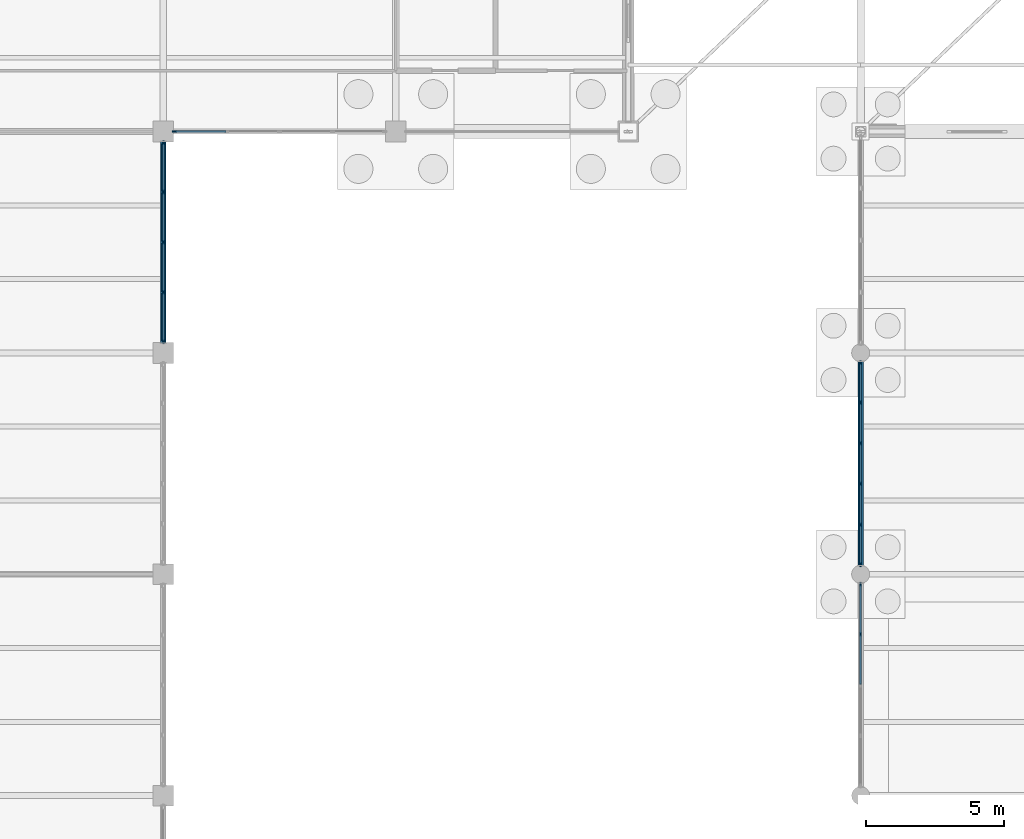
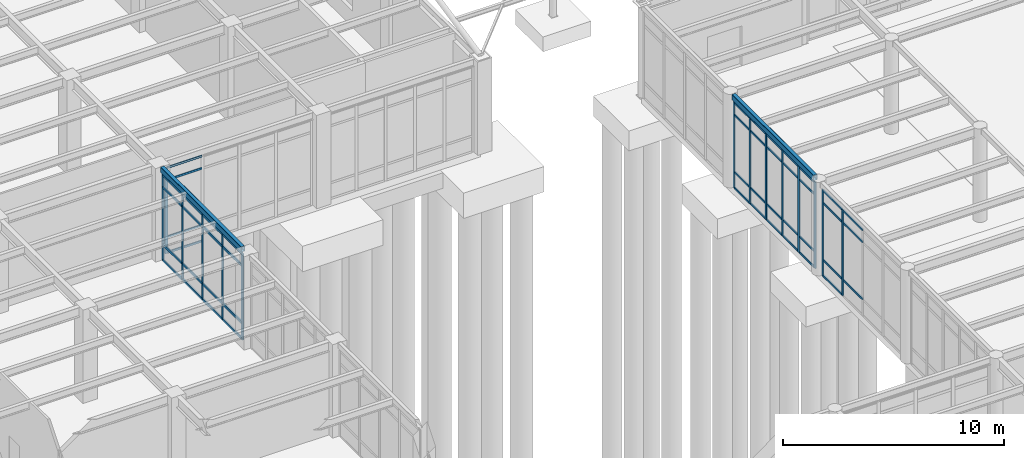
# One storey, part 39 of 138: 61 members, 2 beams, 4 elements without a shape of their own.
"""IFC4 building model written with IfcOpenShell, lengths in metres."""

from ifc_helpers import new_model, si_unit, direction, frame, origin, origin_2d, place, context, subcontext, project, spatial, rectangle, hollow_rectangle, extrude, material, layer, layer_set, material_profile, profile_set, type_object, element, aggregate, save


model = new_model("IFC4")

# Units and contexts
model_context = context("Model", 3, precision=1e-05, world=origin(), true_north=direction((0.0, 1.0)))
body_context = subcontext(model_context, "Body", "Model", "MODEL_VIEW")
ifc_project = project(units=[si_unit("LENGTHUNIT", "METRE"), si_unit("AREAUNIT", "SQUARE_METRE"), si_unit("VOLUMEUNIT", "CUBIC_METRE"), si_unit("PLANEANGLEUNIT", "RADIAN"), si_unit("MASSUNIT", "GRAM", prefix="KILO")], contexts=[model_context])

# Site, building, storey
site_placement = place(None, origin())
site = spatial("IfcSite", under=ifc_project, at=site_placement, CompositionType="ELEMENT")
building_placement = place(site_placement, origin())
building = spatial("IfcBuilding", under=site, at=building_placement, Name="Kranzveld Transit Interchange", CompositionType="ELEMENT")
storey_placement = place(building_placement, origin())
storey = spatial("IfcBuildingStorey", under=building, at=storey_placement, Name="L00", CompositionType="ELEMENT", Elevation=0.0)

# Curtain wall, member
ifc_material_1 = material(Name="Bronze-anodised thermally broken aluminium", Category="aluminium")
ifc_layer_1 = layer(ifc_material_1, 0.159912109375)
ifc_layer_set_1 = layer_set([ifc_layer_1], Name="Bronze-anodised thermally broken aluminium")
curtain_wall_type_1 = type_object("IfcCurtainWallType", Name="Bus Boarding Glazed Screen CW-3", PredefinedType="USERDEFINED", material=ifc_layer_set_1)
curtain_wall_1_placement = place(storey_placement, origin())
curtain_wall_1 = element("IfcCurtainWall", 1, at=curtain_wall_1_placement, inside=storey, type_object=curtain_wall_type_1, Name="L00 Curtain Wall 05/M-06/M", ObjectType="CURTAIN WALL", PredefinedType="USERDEFINED")
ifc_material_2 = material(Name="Bronze-anodised thermally broken aluminium", Category="aluminium")
ifc_material_profile_1 = material_profile(ifc_material_2, rectangle(XDim=0.06005859375, YDim=0.14990234375, at=origin_2d()), Name="ALU MULLION 60x150")
ifc_profile_set_1 = profile_set([ifc_material_profile_1], Name="Bronze-anodised thermally broken aluminium")
member_type_1 = type_object("IfcMemberType", Name="Curtain Wall Mullion 60x150 Alu", PredefinedType="MULLION", material=ifc_profile_set_1)
member_1_placement = place(storey_placement, frame((34.0048828125, 88.0, 0.0), z_axis=(0.0, 0.0, 1.0), x_axis=(0.0, 1.0, 0.0)))
member_1 = element("IfcMember", 2, at=member_1_placement, type_object=member_type_1, Name="CW-3 mullion 1", PredefinedType="MULLION", context=body_context, shape_type="SweptSolid", body=[
    extrude(rectangle(XDim=0.06005859375, YDim=0.14990234375, at=origin_2d()), origin(), (0.0, 0.0, 1.0), 4.740478515625),
])

# Curtain wall, members
curtain_wall_2_placement = place(storey_placement, origin())
curtain_wall_2 = element("IfcCurtainWall", 3, at=curtain_wall_2_placement, inside=storey, type_object=curtain_wall_type_1, Name="L00 Curtain Wall 05/L-05/M", ObjectType="CURTAIN WALL", PredefinedType="USERDEFINED")
member_2_placement = place(storey_placement, frame((33.60009765625, 80.405029296875, 0.0), z_axis=(0.0, 0.0, 1.0), x_axis=(-1.0, 0.0, 0.0)))
member_2 = element("IfcMember", 4, at=member_2_placement, type_object=member_type_1, Name="CW-3 mullion 1", PredefinedType="MULLION", context=body_context, shape_type="SweptSolid", body=[
    extrude(rectangle(XDim=0.06005859375, YDim=0.14990234375, at=origin_2d()), origin(), (0.0, 0.0, 1.0), 4.747314453125),
])
member_3_placement = place(storey_placement, frame((33.60009765625, 82.1875, 0.0), z_axis=(0.0, 0.0, 1.0), x_axis=(-1.0, 0.0, 0.0)))
member_3 = element("IfcMember", 5, at=member_3_placement, type_object=member_type_1, Name="CW-3 mullion 2", PredefinedType="MULLION", context=body_context, shape_type="SweptSolid", body=[
    extrude(rectangle(XDim=0.06005859375, YDim=0.14990234375, at=origin_2d()), origin(), (0.0, 0.0, 1.0), 4.747314453125),
])
member_4_placement = place(storey_placement, frame((33.60009765625, 84.0, 0.0), z_axis=(0.0, 0.0, 1.0), x_axis=(-1.0, 0.0, 0.0)))
member_4 = element("IfcMember", 6, at=member_4_placement, type_object=member_type_1, Name="CW-3 mullion 3", PredefinedType="MULLION", context=body_context, shape_type="SweptSolid", body=[
    extrude(rectangle(XDim=0.06005859375, YDim=0.14990234375, at=origin_2d()), origin(), (0.0, 0.0, 1.0), 4.747314453125),
])
member_5_placement = place(storey_placement, frame((33.60009765625, 85.8125, 0.0), z_axis=(0.0, 0.0, 1.0), x_axis=(-1.0, 0.0, 0.0)))
member_5 = element("IfcMember", 7, at=member_5_placement, type_object=member_type_1, Name="CW-3 mullion 4", PredefinedType="MULLION", context=body_context, shape_type="SweptSolid", body=[
    extrude(rectangle(XDim=0.06005859375, YDim=0.14990234375, at=origin_2d()), origin(), (0.0, 0.0, 1.0), 4.747314453125),
])
member_6_placement = place(storey_placement, frame((33.60009765625, 87.594970703125, 0.0), z_axis=(0.0, 0.0, 1.0), x_axis=(-1.0, 0.0, 0.0)))
member_6 = element("IfcMember", 8, at=member_6_placement, type_object=member_type_1, Name="CW-3 mullion 5", PredefinedType="MULLION", context=body_context, shape_type="SweptSolid", body=[
    extrude(rectangle(XDim=0.06005859375, YDim=0.14990234375, at=origin_2d()), origin(), (0.0, 0.0, 1.0), 4.747314453125),
])

curtain_wall_3_placement = place(storey_placement, origin())
curtain_wall_3 = element("IfcCurtainWall", 9, at=curtain_wall_3_placement, inside=storey, type_object=curtain_wall_type_1, Name="L00 Curtain Wall 08/J-08/K", ObjectType="CURTAIN WALL", PredefinedType="USERDEFINED")
member_7_placement = place(storey_placement, frame((58.800048828125, 69.83740234375, 0.0), z_axis=(0.0, 0.0, 1.0), x_axis=(-1.0, 0.0, 0.0)))
member_7 = element("IfcMember", 10, at=member_7_placement, type_object=member_type_1, Name="CW-3 mullion 4", PredefinedType="MULLION", context=body_context, shape_type="SweptSolid", body=[
    extrude(rectangle(XDim=0.06005859375, YDim=0.14990234375, at=origin_2d()), origin(), (0.0, 0.0, 1.0), 4.747314453125),
])
member_8_placement = place(storey_placement, frame((58.800048828125, 71.64501953125, 0.0), z_axis=(0.0, 0.0, 1.0), x_axis=(-1.0, 0.0, 0.0)))
member_8 = element("IfcMember", 11, at=member_8_placement, type_object=member_type_1, Name="CW-3 mullion 5", PredefinedType="MULLION", context=body_context, shape_type="SweptSolid", body=[
    extrude(rectangle(XDim=0.06005859375, YDim=0.14990234375, at=origin_2d()), origin(), (0.0, 0.0, 1.0), 4.747314453125),
])

ifc_material_3 = material(Name="Bronze-anodised thermally broken aluminium", Category="aluminium")
ifc_layer_2 = layer(ifc_material_3, 0.14990234375)
ifc_layer_set_2 = layer_set([ifc_layer_2], Name="Bronze-anodised thermally broken aluminium")
curtain_wall_type_2 = type_object("IfcCurtainWallType", Name="Public Passage Clerestory Screen CW-4", PredefinedType="USERDEFINED", material=ifc_layer_set_2)
curtain_wall_4_placement = place(storey_placement, origin())
curtain_wall_4 = element("IfcCurtainWall", 12, at=curtain_wall_4_placement, inside=storey, type_object=curtain_wall_type_2, Name="L00 Curtain Wall 08/K-08/L", ObjectType="CURTAIN WALL", PredefinedType="USERDEFINED")
member_9_placement = place(storey_placement, frame((58.800048828125, 72.35498046875, 0.0), z_axis=(0.0, 0.0, 1.0), x_axis=(-1.0, 0.0, 0.0)))
member_9 = element("IfcMember", 13, at=member_9_placement, type_object=member_type_1, Name="CW-4 mullion 1", PredefinedType="MULLION", context=body_context, shape_type="SweptSolid", body=[
    extrude(rectangle(XDim=0.06005859375, YDim=0.14990234375, at=origin_2d()), origin(), (0.0, 0.0, 1.0), 4.747314453125),
])
member_10_placement = place(storey_placement, frame((58.800048828125, 73.794921875, 0.0), z_axis=(0.0, 0.0, 1.0), x_axis=(-1.0, 0.0, 0.0)))
member_10 = element("IfcMember", 14, at=member_10_placement, type_object=member_type_1, Name="CW-4 mullion 2", PredefinedType="MULLION", context=body_context, shape_type="SweptSolid", body=[
    extrude(rectangle(XDim=0.06005859375, YDim=0.14990234375, at=origin_2d()), origin(), (0.0, 0.0, 1.0), 4.747314453125),
])
member_11_placement = place(storey_placement, frame((58.800048828125, 75.264892578125, 0.0), z_axis=(0.0, 0.0, 1.0), x_axis=(-1.0, 0.0, 0.0)))
member_11 = element("IfcMember", 15, at=member_11_placement, type_object=member_type_1, Name="CW-4 mullion 3", PredefinedType="MULLION", context=body_context, shape_type="SweptSolid", body=[
    extrude(rectangle(XDim=0.06005859375, YDim=0.14990234375, at=origin_2d()), origin(), (0.0, 0.0, 1.0), 4.747314453125),
])
member_12_placement = place(storey_placement, frame((58.800048828125, 76.735107421875, 0.0), z_axis=(0.0, 0.0, 1.0), x_axis=(-1.0, 0.0, 0.0)))
member_12 = element("IfcMember", 16, at=member_12_placement, type_object=member_type_1, Name="CW-4 mullion 4", PredefinedType="MULLION", context=body_context, shape_type="SweptSolid", body=[
    extrude(rectangle(XDim=0.06005859375, YDim=0.14990234375, at=origin_2d()), origin(), (0.0, 0.0, 1.0), 4.747314453125),
])
member_13_placement = place(storey_placement, frame((58.800048828125, 78.205078125, 0.0), z_axis=(0.0, 0.0, 1.0), x_axis=(-1.0, 0.0, 0.0)))
member_13 = element("IfcMember", 17, at=member_13_placement, type_object=member_type_1, Name="CW-4 mullion 5", PredefinedType="MULLION", context=body_context, shape_type="SweptSolid", body=[
    extrude(rectangle(XDim=0.06005859375, YDim=0.14990234375, at=origin_2d()), origin(), (0.0, 0.0, 1.0), 4.747314453125),
])
member_14_placement = place(storey_placement, frame((58.800048828125, 79.64501953125, 0.0), z_axis=(0.0, 0.0, 1.0), x_axis=(-1.0, 0.0, 0.0)))
member_14 = element("IfcMember", 18, at=member_14_placement, type_object=member_type_1, Name="CW-4 mullion 6", PredefinedType="MULLION", context=body_context, shape_type="SweptSolid", body=[
    extrude(rectangle(XDim=0.06005859375, YDim=0.14990234375, at=origin_2d()), origin(), (0.0, 0.0, 1.0), 4.747314453125),
])

# Member
ifc_material_4 = material(Name="Bronze-anodised thermally broken aluminium", Category="aluminium")
ifc_material_profile_2 = material_profile(ifc_material_4, rectangle(XDim=0.06005859375, YDim=0.110107421875, at=origin_2d()), Name="ALU TRANSOM 60x110")
ifc_profile_set_2 = profile_set([ifc_material_profile_2], Name="Bronze-anodised thermally broken aluminium")
member_type_2 = type_object("IfcMemberType", Name="Curtain Wall Transom 60x110 Alu", PredefinedType="USERDEFINED", material=ifc_profile_set_2)
member_15_placement = place(storey_placement, frame((34.034912109375, 88.0, 0.030029296875), z_axis=(1.0, 0.0, 0.0), x_axis=(0.0, 1.0, 0.0)))
member_15 = element("IfcMember", 19, at=member_15_placement, type_object=member_type_2, Name="CW-3 transom 1.1", ObjectType="TRANSOM", PredefinedType="USERDEFINED", context=body_context, shape_type="SweptSolid", body=[
    extrude(rectangle(XDim=0.06005859375, YDim=0.110107421875, at=origin_2d()), origin(), (0.0, 0.0, 1.0), 1.822509765625),
])

member_16_placement = place(storey_placement, frame((34.034912109375, 88.0, 0.89990234375), z_axis=(1.0, 0.0, 0.0), x_axis=(0.0, 1.0, 0.0)))
member_16 = element("IfcMember", 20, at=member_16_placement, type_object=member_type_2, Name="CW-3 transom 1.2", ObjectType="TRANSOM", PredefinedType="USERDEFINED", context=body_context, shape_type="SweptSolid", body=[
    extrude(rectangle(XDim=0.06005859375, YDim=0.110107421875, at=origin_2d()), origin(), (0.0, 0.0, 1.0), 1.822509765625),
])

member_17_placement = place(storey_placement, frame((34.034912109375, 88.0, 4.04052734375), z_axis=(1.0, 0.0, 0.0), x_axis=(0.0, 1.0, 0.0)))
member_17 = element("IfcMember", 21, at=member_17_placement, type_object=member_type_2, Name="CW-3 transom 1.3", ObjectType="TRANSOM", PredefinedType="USERDEFINED", context=body_context, shape_type="SweptSolid", body=[
    extrude(rectangle(XDim=0.06005859375, YDim=0.110107421875, at=origin_2d()), origin(), (0.0, 0.0, 1.0), 1.822509765625),
])

member_18_placement = place(storey_placement, frame((34.034912109375, 88.0, 4.710693359375), z_axis=(1.0, 0.0, 0.0), x_axis=(0.0, 1.0, 0.0)))
member_18 = element("IfcMember", 22, at=member_18_placement, type_object=member_type_2, Name="CW-3 transom 1.4", ObjectType="TRANSOM", PredefinedType="USERDEFINED", context=body_context, shape_type="SweptSolid", body=[
    extrude(rectangle(XDim=0.06005859375, YDim=0.110107421875, at=origin_2d()), origin(), (0.0, 0.0, 1.0), 1.822509765625),
])

aggregate(curtain_wall_1, [member_1, member_15, member_16, member_17, member_18])

member_19_placement = place(storey_placement, frame((58.800048828125, 68.030029296875, 0.89990234375), z_axis=(0.0, 1.0, 0.0), x_axis=(-1.0, 0.0, 0.0)))
member_19 = element("IfcMember", 23, at=member_19_placement, type_object=member_type_2, Name="CW-3 transom 3.2", ObjectType="TRANSOM", PredefinedType="USERDEFINED", context=body_context, shape_type="SweptSolid", body=[
    extrude(rectangle(XDim=0.06005859375, YDim=0.110107421875, at=origin_2d()), origin(), (0.0, 0.0, 1.0), 1.777587890625),
])

member_20_placement = place(storey_placement, frame((58.800048828125, 68.030029296875, 4.04736328125), z_axis=(0.0, 1.0, 0.0), x_axis=(-1.0, 0.0, 0.0)))
member_20 = element("IfcMember", 24, at=member_20_placement, type_object=member_type_2, Name="CW-3 transom 3.3", ObjectType="TRANSOM", PredefinedType="USERDEFINED", context=body_context, shape_type="SweptSolid", body=[
    extrude(rectangle(XDim=0.06005859375, YDim=0.110107421875, at=origin_2d()), origin(), (0.0, 0.0, 1.0), 1.777587890625),
])

member_21_placement = place(storey_placement, frame((58.800048828125, 68.030029296875, 4.71728515625), z_axis=(0.0, 1.0, 0.0), x_axis=(-1.0, 0.0, 0.0)))
member_21 = element("IfcMember", 25, at=member_21_placement, type_object=member_type_2, Name="CW-3 transom 3.4", ObjectType="TRANSOM", PredefinedType="USERDEFINED", context=body_context, shape_type="SweptSolid", body=[
    extrude(rectangle(XDim=0.06005859375, YDim=0.110107421875, at=origin_2d()), origin(), (0.0, 0.0, 1.0), 1.777587890625),
])

member_22_placement = place(storey_placement, frame((58.800048828125, 69.867431640625, 0.030029296875), z_axis=(0.0, 1.0, 0.0), x_axis=(-1.0, 0.0, 0.0)))
member_22 = element("IfcMember", 26, at=member_22_placement, type_object=member_type_2, Name="CW-3 transom 4.1", ObjectType="TRANSOM", PredefinedType="USERDEFINED", context=body_context, shape_type="SweptSolid", body=[
    extrude(rectangle(XDim=0.06005859375, YDim=0.110107421875, at=origin_2d()), origin(), (0.0, 0.0, 1.0), 1.74755859375),
])

member_23_placement = place(storey_placement, frame((58.800048828125, 69.867431640625, 0.89990234375), z_axis=(0.0, 1.0, 0.0), x_axis=(-1.0, 0.0, 0.0)))
member_23 = element("IfcMember", 27, at=member_23_placement, type_object=member_type_2, Name="CW-3 transom 4.2", ObjectType="TRANSOM", PredefinedType="USERDEFINED", context=body_context, shape_type="SweptSolid", body=[
    extrude(rectangle(XDim=0.06005859375, YDim=0.110107421875, at=origin_2d()), origin(), (0.0, 0.0, 1.0), 1.74755859375),
])

member_24_placement = place(storey_placement, frame((58.800048828125, 69.867431640625, 4.04736328125), z_axis=(0.0, 1.0, 0.0), x_axis=(-1.0, 0.0, 0.0)))
member_24 = element("IfcMember", 28, at=member_24_placement, type_object=member_type_2, Name="CW-3 transom 4.3", ObjectType="TRANSOM", PredefinedType="USERDEFINED", context=body_context, shape_type="SweptSolid", body=[
    extrude(rectangle(XDim=0.06005859375, YDim=0.110107421875, at=origin_2d()), origin(), (0.0, 0.0, 1.0), 1.74755859375),
])

member_25_placement = place(storey_placement, frame((58.800048828125, 69.867431640625, 4.71728515625), z_axis=(0.0, 1.0, 0.0), x_axis=(-1.0, 0.0, 0.0)))
member_25 = element("IfcMember", 29, at=member_25_placement, type_object=member_type_2, Name="CW-3 transom 4.4", ObjectType="TRANSOM", PredefinedType="USERDEFINED", context=body_context, shape_type="SweptSolid", body=[
    extrude(rectangle(XDim=0.06005859375, YDim=0.110107421875, at=origin_2d()), origin(), (0.0, 0.0, 1.0), 1.74755859375),
])

aggregate(curtain_wall_3, [member_7, member_8, member_19, member_20, member_21, member_22, member_23, member_24, member_25])

member_26_placement = place(storey_placement, frame((58.800048828125, 72.385009765625, 0.030029296875), z_axis=(0.0, 1.0, 0.0), x_axis=(-1.0, 0.0, 0.0)))
member_26 = element("IfcMember", 30, at=member_26_placement, type_object=member_type_2, Name="CW-4 transom 1.1", ObjectType="TRANSOM", PredefinedType="USERDEFINED", context=body_context, shape_type="SweptSolid", body=[
    extrude(rectangle(XDim=0.06005859375, YDim=0.110107421875, at=origin_2d()), origin(), (0.0, 0.0, 1.0), 1.3798828125),
])

member_27_placement = place(storey_placement, frame((58.800048828125, 72.385009765625, 0.89990234375), z_axis=(0.0, 1.0, 0.0), x_axis=(-1.0, 0.0, 0.0)))
member_27 = element("IfcMember", 31, at=member_27_placement, type_object=member_type_2, Name="CW-4 transom 1.2", ObjectType="TRANSOM", PredefinedType="USERDEFINED", context=body_context, shape_type="SweptSolid", body=[
    extrude(rectangle(XDim=0.06005859375, YDim=0.110107421875, at=origin_2d()), origin(), (0.0, 0.0, 1.0), 1.3798828125),
])

member_28_placement = place(storey_placement, frame((58.800048828125, 72.385009765625, 4.04736328125), z_axis=(0.0, 1.0, 0.0), x_axis=(-1.0, 0.0, 0.0)))
member_28 = element("IfcMember", 32, at=member_28_placement, type_object=member_type_2, Name="CW-4 transom 1.3", ObjectType="TRANSOM", PredefinedType="USERDEFINED", context=body_context, shape_type="SweptSolid", body=[
    extrude(rectangle(XDim=0.06005859375, YDim=0.110107421875, at=origin_2d()), origin(), (0.0, 0.0, 1.0), 1.3798828125),
])

member_29_placement = place(storey_placement, frame((58.800048828125, 72.385009765625, 4.71728515625), z_axis=(0.0, 1.0, 0.0), x_axis=(-1.0, 0.0, 0.0)))
member_29 = element("IfcMember", 33, at=member_29_placement, type_object=member_type_2, Name="CW-4 transom 1.4", ObjectType="TRANSOM", PredefinedType="USERDEFINED", context=body_context, shape_type="SweptSolid", body=[
    extrude(rectangle(XDim=0.06005859375, YDim=0.110107421875, at=origin_2d()), origin(), (0.0, 0.0, 1.0), 1.3798828125),
])

member_30_placement = place(storey_placement, frame((58.800048828125, 73.824951171875, 0.030029296875), z_axis=(0.0, 1.0, 0.0), x_axis=(-1.0, 0.0, 0.0)))
member_30 = element("IfcMember", 34, at=member_30_placement, type_object=member_type_2, Name="CW-4 transom 2.1", ObjectType="TRANSOM", PredefinedType="USERDEFINED", context=body_context, shape_type="SweptSolid", body=[
    extrude(rectangle(XDim=0.06005859375, YDim=0.110107421875, at=origin_2d()), origin(), (0.0, 0.0, 1.0), 1.41015625),
])

member_31_placement = place(storey_placement, frame((58.800048828125, 73.824951171875, 0.89990234375), z_axis=(0.0, 1.0, 0.0), x_axis=(-1.0, 0.0, 0.0)))
member_31 = element("IfcMember", 35, at=member_31_placement, type_object=member_type_2, Name="CW-4 transom 2.2", ObjectType="TRANSOM", PredefinedType="USERDEFINED", context=body_context, shape_type="SweptSolid", body=[
    extrude(rectangle(XDim=0.06005859375, YDim=0.110107421875, at=origin_2d()), origin(), (0.0, 0.0, 1.0), 1.41015625),
])

member_32_placement = place(storey_placement, frame((58.800048828125, 73.824951171875, 4.04736328125), z_axis=(0.0, 1.0, 0.0), x_axis=(-1.0, 0.0, 0.0)))
member_32 = element("IfcMember", 36, at=member_32_placement, type_object=member_type_2, Name="CW-4 transom 2.3", ObjectType="TRANSOM", PredefinedType="USERDEFINED", context=body_context, shape_type="SweptSolid", body=[
    extrude(rectangle(XDim=0.06005859375, YDim=0.110107421875, at=origin_2d()), origin(), (0.0, 0.0, 1.0), 1.41015625),
])

member_33_placement = place(storey_placement, frame((58.800048828125, 73.824951171875, 4.71728515625), z_axis=(0.0, 1.0, 0.0), x_axis=(-1.0, 0.0, 0.0)))
member_33 = element("IfcMember", 37, at=member_33_placement, type_object=member_type_2, Name="CW-4 transom 2.4", ObjectType="TRANSOM", PredefinedType="USERDEFINED", context=body_context, shape_type="SweptSolid", body=[
    extrude(rectangle(XDim=0.06005859375, YDim=0.110107421875, at=origin_2d()), origin(), (0.0, 0.0, 1.0), 1.41015625),
])

member_34_placement = place(storey_placement, frame((58.800048828125, 75.294921875, 0.030029296875), z_axis=(0.0, 1.0, 0.0), x_axis=(-1.0, 0.0, 0.0)))
member_34 = element("IfcMember", 38, at=member_34_placement, type_object=member_type_2, Name="CW-4 transom 3.1", ObjectType="TRANSOM", PredefinedType="USERDEFINED", context=body_context, shape_type="SweptSolid", body=[
    extrude(rectangle(XDim=0.06005859375, YDim=0.110107421875, at=origin_2d()), origin(), (0.0, 0.0, 1.0), 1.41015625),
])

member_35_placement = place(storey_placement, frame((58.800048828125, 75.294921875, 0.89990234375), z_axis=(0.0, 1.0, 0.0), x_axis=(-1.0, 0.0, 0.0)))
member_35 = element("IfcMember", 39, at=member_35_placement, type_object=member_type_2, Name="CW-4 transom 3.2", ObjectType="TRANSOM", PredefinedType="USERDEFINED", context=body_context, shape_type="SweptSolid", body=[
    extrude(rectangle(XDim=0.06005859375, YDim=0.110107421875, at=origin_2d()), origin(), (0.0, 0.0, 1.0), 1.41015625),
])

member_36_placement = place(storey_placement, frame((58.800048828125, 75.294921875, 4.04736328125), z_axis=(0.0, 1.0, 0.0), x_axis=(-1.0, 0.0, 0.0)))
member_36 = element("IfcMember", 40, at=member_36_placement, type_object=member_type_2, Name="CW-4 transom 3.3", ObjectType="TRANSOM", PredefinedType="USERDEFINED", context=body_context, shape_type="SweptSolid", body=[
    extrude(rectangle(XDim=0.06005859375, YDim=0.110107421875, at=origin_2d()), origin(), (0.0, 0.0, 1.0), 1.41015625),
])

member_37_placement = place(storey_placement, frame((58.800048828125, 75.294921875, 4.71728515625), z_axis=(0.0, 1.0, 0.0), x_axis=(-1.0, 0.0, 0.0)))
member_37 = element("IfcMember", 41, at=member_37_placement, type_object=member_type_2, Name="CW-4 transom 3.4", ObjectType="TRANSOM", PredefinedType="USERDEFINED", context=body_context, shape_type="SweptSolid", body=[
    extrude(rectangle(XDim=0.06005859375, YDim=0.110107421875, at=origin_2d()), origin(), (0.0, 0.0, 1.0), 1.41015625),
])

member_38_placement = place(storey_placement, frame((58.800048828125, 76.764892578125, 0.030029296875), z_axis=(0.0, 1.0, 0.0), x_axis=(-1.0, 0.0, 0.0)))
member_38 = element("IfcMember", 42, at=member_38_placement, type_object=member_type_2, Name="CW-4 transom 4.1", ObjectType="TRANSOM", PredefinedType="USERDEFINED", context=body_context, shape_type="SweptSolid", body=[
    extrude(rectangle(XDim=0.06005859375, YDim=0.110107421875, at=origin_2d()), origin(), (0.0, 0.0, 1.0), 1.41015625),
])

member_39_placement = place(storey_placement, frame((58.800048828125, 76.764892578125, 0.89990234375), z_axis=(0.0, 1.0, 0.0), x_axis=(-1.0, 0.0, 0.0)))
member_39 = element("IfcMember", 43, at=member_39_placement, type_object=member_type_2, Name="CW-4 transom 4.2", ObjectType="TRANSOM", PredefinedType="USERDEFINED", context=body_context, shape_type="SweptSolid", body=[
    extrude(rectangle(XDim=0.06005859375, YDim=0.110107421875, at=origin_2d()), origin(), (0.0, 0.0, 1.0), 1.41015625),
])

member_40_placement = place(storey_placement, frame((58.800048828125, 76.764892578125, 4.04736328125), z_axis=(0.0, 1.0, 0.0), x_axis=(-1.0, 0.0, 0.0)))
member_40 = element("IfcMember", 44, at=member_40_placement, type_object=member_type_2, Name="CW-4 transom 4.3", ObjectType="TRANSOM", PredefinedType="USERDEFINED", context=body_context, shape_type="SweptSolid", body=[
    extrude(rectangle(XDim=0.06005859375, YDim=0.110107421875, at=origin_2d()), origin(), (0.0, 0.0, 1.0), 1.41015625),
])

member_41_placement = place(storey_placement, frame((58.800048828125, 76.764892578125, 4.71728515625), z_axis=(0.0, 1.0, 0.0), x_axis=(-1.0, 0.0, 0.0)))
member_41 = element("IfcMember", 45, at=member_41_placement, type_object=member_type_2, Name="CW-4 transom 4.4", ObjectType="TRANSOM", PredefinedType="USERDEFINED", context=body_context, shape_type="SweptSolid", body=[
    extrude(rectangle(XDim=0.06005859375, YDim=0.110107421875, at=origin_2d()), origin(), (0.0, 0.0, 1.0), 1.41015625),
])

member_42_placement = place(storey_placement, frame((58.800048828125, 78.235107421875, 0.030029296875), z_axis=(0.0, 1.0, 0.0), x_axis=(-1.0, 0.0, 0.0)))
member_42 = element("IfcMember", 46, at=member_42_placement, type_object=member_type_2, Name="CW-4 transom 5.1", ObjectType="TRANSOM", PredefinedType="USERDEFINED", context=body_context, shape_type="SweptSolid", body=[
    extrude(rectangle(XDim=0.06005859375, YDim=0.110107421875, at=origin_2d()), origin(), (0.0, 0.0, 1.0), 1.3798828125),
])

member_43_placement = place(storey_placement, frame((58.800048828125, 78.235107421875, 0.89990234375), z_axis=(0.0, 1.0, 0.0), x_axis=(-1.0, 0.0, 0.0)))
member_43 = element("IfcMember", 47, at=member_43_placement, type_object=member_type_2, Name="CW-4 transom 5.2", ObjectType="TRANSOM", PredefinedType="USERDEFINED", context=body_context, shape_type="SweptSolid", body=[
    extrude(rectangle(XDim=0.06005859375, YDim=0.110107421875, at=origin_2d()), origin(), (0.0, 0.0, 1.0), 1.3798828125),
])

member_44_placement = place(storey_placement, frame((58.800048828125, 78.235107421875, 4.04736328125), z_axis=(0.0, 1.0, 0.0), x_axis=(-1.0, 0.0, 0.0)))
member_44 = element("IfcMember", 48, at=member_44_placement, type_object=member_type_2, Name="CW-4 transom 5.3", ObjectType="TRANSOM", PredefinedType="USERDEFINED", context=body_context, shape_type="SweptSolid", body=[
    extrude(rectangle(XDim=0.06005859375, YDim=0.110107421875, at=origin_2d()), origin(), (0.0, 0.0, 1.0), 1.3798828125),
])

member_45_placement = place(storey_placement, frame((58.800048828125, 78.235107421875, 4.71728515625), z_axis=(0.0, 1.0, 0.0), x_axis=(-1.0, 0.0, 0.0)))
member_45 = element("IfcMember", 49, at=member_45_placement, type_object=member_type_2, Name="CW-4 transom 5.4", ObjectType="TRANSOM", PredefinedType="USERDEFINED", context=body_context, shape_type="SweptSolid", body=[
    extrude(rectangle(XDim=0.06005859375, YDim=0.110107421875, at=origin_2d()), origin(), (0.0, 0.0, 1.0), 1.3798828125),
])

aggregate(curtain_wall_4, [member_9, member_10, member_11, member_12, member_13, member_14, member_26, member_27, member_28, member_29, member_30, member_31, member_32, member_33, member_34, member_35, member_36, member_37, member_38, member_39, member_40, member_41, member_42, member_43, member_44, member_45])

ifc_material_5 = material(Name="Bronze-anodised thermally broken aluminium", Category="aluminium")
ifc_material_profile_3 = material_profile(ifc_material_5, rectangle(XDim=0.06494140625, YDim=0.139892578125, at=origin_2d()), Name="ALU TRANSOM 65x140")
ifc_profile_set_3 = profile_set([ifc_material_profile_3], Name="Bronze-anodised thermally broken aluminium")
member_type_3 = type_object("IfcMemberType", Name="Curtain Wall Transom 65x140 Alu", PredefinedType="USERDEFINED", material=ifc_profile_set_3)
member_46_placement = place(storey_placement, frame((33.60009765625, 80.43505859375, 0.032470703125), z_axis=(0.0, 1.0, 0.0), x_axis=(-1.0, 0.0, 0.0)))
member_46 = element("IfcMember", 50, at=member_46_placement, type_object=member_type_3, Name="CW-3 transom 1.1", ObjectType="TRANSOM", PredefinedType="USERDEFINED", context=body_context, shape_type="SweptSolid", body=[
    extrude(rectangle(XDim=0.06494140625, YDim=0.139892578125, at=origin_2d()), origin(), (0.0, 0.0, 1.0), 1.722412109375),
])

member_47_placement = place(storey_placement, frame((33.60009765625, 80.43505859375, 0.89990234375), z_axis=(0.0, 1.0, 0.0), x_axis=(-1.0, 0.0, 0.0)))
member_47 = element("IfcMember", 51, at=member_47_placement, type_object=member_type_3, Name="CW-3 transom 1.2", ObjectType="TRANSOM", PredefinedType="USERDEFINED", context=body_context, shape_type="SweptSolid", body=[
    extrude(rectangle(XDim=0.06494140625, YDim=0.139892578125, at=origin_2d()), origin(), (0.0, 0.0, 1.0), 1.722412109375),
])

member_48_placement = place(storey_placement, frame((33.60009765625, 80.43505859375, 4.04736328125), z_axis=(0.0, 1.0, 0.0), x_axis=(-1.0, 0.0, 0.0)))
member_48 = element("IfcMember", 52, at=member_48_placement, type_object=member_type_3, Name="CW-3 transom 1.3", ObjectType="TRANSOM", PredefinedType="USERDEFINED", context=body_context, shape_type="SweptSolid", body=[
    extrude(rectangle(XDim=0.06494140625, YDim=0.139892578125, at=origin_2d()), origin(), (0.0, 0.0, 1.0), 1.722412109375),
])

member_49_placement = place(storey_placement, frame((33.60009765625, 80.43505859375, 4.71484375), z_axis=(0.0, 1.0, 0.0), x_axis=(-1.0, 0.0, 0.0)))
member_49 = element("IfcMember", 53, at=member_49_placement, type_object=member_type_3, Name="CW-3 transom 1.4", ObjectType="TRANSOM", PredefinedType="USERDEFINED", context=body_context, shape_type="SweptSolid", body=[
    extrude(rectangle(XDim=0.06494140625, YDim=0.139892578125, at=origin_2d()), origin(), (0.0, 0.0, 1.0), 1.722412109375),
])

member_50_placement = place(storey_placement, frame((33.60009765625, 82.217529296875, 0.032470703125), z_axis=(0.0, 1.0, 0.0), x_axis=(-1.0, 0.0, 0.0)))
member_50 = element("IfcMember", 54, at=member_50_placement, type_object=member_type_3, Name="CW-3 transom 2.1", ObjectType="TRANSOM", PredefinedType="USERDEFINED", context=body_context, shape_type="SweptSolid", body=[
    extrude(rectangle(XDim=0.06494140625, YDim=0.139892578125, at=origin_2d()), origin(), (0.0, 0.0, 1.0), 1.75244140625),
])

member_51_placement = place(storey_placement, frame((33.60009765625, 82.217529296875, 0.89990234375), z_axis=(0.0, 1.0, 0.0), x_axis=(-1.0, 0.0, 0.0)))
member_51 = element("IfcMember", 55, at=member_51_placement, type_object=member_type_3, Name="CW-3 transom 2.2", ObjectType="TRANSOM", PredefinedType="USERDEFINED", context=body_context, shape_type="SweptSolid", body=[
    extrude(rectangle(XDim=0.06494140625, YDim=0.139892578125, at=origin_2d()), origin(), (0.0, 0.0, 1.0), 1.75244140625),
])

member_52_placement = place(storey_placement, frame((33.60009765625, 82.217529296875, 4.04736328125), z_axis=(0.0, 1.0, 0.0), x_axis=(-1.0, 0.0, 0.0)))
member_52 = element("IfcMember", 56, at=member_52_placement, type_object=member_type_3, Name="CW-3 transom 2.3", ObjectType="TRANSOM", PredefinedType="USERDEFINED", context=body_context, shape_type="SweptSolid", body=[
    extrude(rectangle(XDim=0.06494140625, YDim=0.139892578125, at=origin_2d()), origin(), (0.0, 0.0, 1.0), 1.75244140625),
])

member_53_placement = place(storey_placement, frame((33.60009765625, 82.217529296875, 4.71484375), z_axis=(0.0, 1.0, 0.0), x_axis=(-1.0, 0.0, 0.0)))
member_53 = element("IfcMember", 57, at=member_53_placement, type_object=member_type_3, Name="CW-3 transom 2.4", ObjectType="TRANSOM", PredefinedType="USERDEFINED", context=body_context, shape_type="SweptSolid", body=[
    extrude(rectangle(XDim=0.06494140625, YDim=0.139892578125, at=origin_2d()), origin(), (0.0, 0.0, 1.0), 1.75244140625),
])

member_54_placement = place(storey_placement, frame((33.60009765625, 84.030029296875, 0.032470703125), z_axis=(0.0, 1.0, 0.0), x_axis=(-1.0, 0.0, 0.0)))
member_54 = element("IfcMember", 58, at=member_54_placement, type_object=member_type_3, Name="CW-3 transom 3.1", ObjectType="TRANSOM", PredefinedType="USERDEFINED", context=body_context, shape_type="SweptSolid", body=[
    extrude(rectangle(XDim=0.06494140625, YDim=0.139892578125, at=origin_2d()), origin(), (0.0, 0.0, 1.0), 1.75244140625),
])

member_55_placement = place(storey_placement, frame((33.60009765625, 84.030029296875, 0.89990234375), z_axis=(0.0, 1.0, 0.0), x_axis=(-1.0, 0.0, 0.0)))
member_55 = element("IfcMember", 59, at=member_55_placement, type_object=member_type_3, Name="CW-3 transom 3.2", ObjectType="TRANSOM", PredefinedType="USERDEFINED", context=body_context, shape_type="SweptSolid", body=[
    extrude(rectangle(XDim=0.06494140625, YDim=0.139892578125, at=origin_2d()), origin(), (0.0, 0.0, 1.0), 1.75244140625),
])

member_56_placement = place(storey_placement, frame((33.60009765625, 84.030029296875, 4.04736328125), z_axis=(0.0, 1.0, 0.0), x_axis=(-1.0, 0.0, 0.0)))
member_56 = element("IfcMember", 60, at=member_56_placement, type_object=member_type_3, Name="CW-3 transom 3.3", ObjectType="TRANSOM", PredefinedType="USERDEFINED", context=body_context, shape_type="SweptSolid", body=[
    extrude(rectangle(XDim=0.06494140625, YDim=0.139892578125, at=origin_2d()), origin(), (0.0, 0.0, 1.0), 1.75244140625),
])

member_57_placement = place(storey_placement, frame((33.60009765625, 84.030029296875, 4.71484375), z_axis=(0.0, 1.0, 0.0), x_axis=(-1.0, 0.0, 0.0)))
member_57 = element("IfcMember", 61, at=member_57_placement, type_object=member_type_3, Name="CW-3 transom 3.4", ObjectType="TRANSOM", PredefinedType="USERDEFINED", context=body_context, shape_type="SweptSolid", body=[
    extrude(rectangle(XDim=0.06494140625, YDim=0.139892578125, at=origin_2d()), origin(), (0.0, 0.0, 1.0), 1.75244140625),
])

member_58_placement = place(storey_placement, frame((33.60009765625, 85.842529296875, 0.032470703125), z_axis=(0.0, 1.0, 0.0), x_axis=(-1.0, 0.0, 0.0)))
member_58 = element("IfcMember", 62, at=member_58_placement, type_object=member_type_3, Name="CW-3 transom 4.1", ObjectType="TRANSOM", PredefinedType="USERDEFINED", context=body_context, shape_type="SweptSolid", body=[
    extrude(rectangle(XDim=0.06494140625, YDim=0.139892578125, at=origin_2d()), origin(), (0.0, 0.0, 1.0), 1.722412109375),
])

member_59_placement = place(storey_placement, frame((33.60009765625, 85.842529296875, 0.89990234375), z_axis=(0.0, 1.0, 0.0), x_axis=(-1.0, 0.0, 0.0)))
member_59 = element("IfcMember", 63, at=member_59_placement, type_object=member_type_3, Name="CW-3 transom 4.2", ObjectType="TRANSOM", PredefinedType="USERDEFINED", context=body_context, shape_type="SweptSolid", body=[
    extrude(rectangle(XDim=0.06494140625, YDim=0.139892578125, at=origin_2d()), origin(), (0.0, 0.0, 1.0), 1.722412109375),
])

member_60_placement = place(storey_placement, frame((33.60009765625, 85.842529296875, 4.04736328125), z_axis=(0.0, 1.0, 0.0), x_axis=(-1.0, 0.0, 0.0)))
member_60 = element("IfcMember", 64, at=member_60_placement, type_object=member_type_3, Name="CW-3 transom 4.3", ObjectType="TRANSOM", PredefinedType="USERDEFINED", context=body_context, shape_type="SweptSolid", body=[
    extrude(rectangle(XDim=0.06494140625, YDim=0.139892578125, at=origin_2d()), origin(), (0.0, 0.0, 1.0), 1.722412109375),
])

member_61_placement = place(storey_placement, frame((33.60009765625, 85.842529296875, 4.71484375), z_axis=(0.0, 1.0, 0.0), x_axis=(-1.0, 0.0, 0.0)))
member_61 = element("IfcMember", 65, at=member_61_placement, type_object=member_type_3, Name="CW-3 transom 4.4", ObjectType="TRANSOM", PredefinedType="USERDEFINED", context=body_context, shape_type="SweptSolid", body=[
    extrude(rectangle(XDim=0.06494140625, YDim=0.139892578125, at=origin_2d()), origin(), (0.0, 0.0, 1.0), 1.722412109375),
])

aggregate(curtain_wall_2, [member_2, member_3, member_4, member_5, member_6, member_46, member_47, member_48, member_49, member_50, member_51, member_52, member_53, member_54, member_55, member_56, member_57, member_58, member_59, member_60, member_61])

# Beams
ifc_material_6 = material(Name="Steel S355JR", Category="steel")
ifc_material_profile_4 = material_profile(ifc_material_6, hollow_rectangle(XDim=0.199951171875, YDim=0.300048828125, WallThickness=0.010009765625, InnerFilletRadius=0.014892578125, OuterFilletRadius=0.02490234375, at=origin_2d()), Name="RHS 300x200x10")
ifc_profile_set_4 = profile_set([ifc_material_profile_4], Name="Steel S355JR")
beam_type = type_object("IfcBeamType", Name="Edge Spandrel RHS 300x200x10 S355JR", PredefinedType="SPANDREL", material=ifc_profile_set_4)
beam_1_placement = place(storey_placement, frame((33.60009765625, 80.364990234375, 5.0), z_axis=(0.0, 1.0, 0.0), x_axis=(-1.0, 0.0, 0.0)))
element("IfcBeam", 66, at=beam_1_placement, inside=storey, type_object=beam_type, Name="L00 Girder 05/L-M", PredefinedType="SPANDREL", context=body_context, shape_type="SweptSolid", body=[
    extrude(hollow_rectangle(XDim=0.199951171875, YDim=0.300048828125, WallThickness=0.010009765625, InnerFilletRadius=0.014892578125, OuterFilletRadius=0.02490234375, at=origin_2d()), origin(), (0.0, 0.0, 1.0), 7.27001953125),
])
beam_2_placement = place(storey_placement, frame((58.800048828125, 72.31494140625, 5.0), z_axis=(0.0, 1.0, 0.0), x_axis=(-1.0, 0.0, 0.0)))
element("IfcBeam", 67, at=beam_2_placement, inside=storey, type_object=beam_type, Name="L00 Girder 08/K-L", PredefinedType="SPANDREL", context=body_context, shape_type="SweptSolid", body=[
    extrude(hollow_rectangle(XDim=0.199951171875, YDim=0.300048828125, WallThickness=0.010009765625, InnerFilletRadius=0.014892578125, OuterFilletRadius=0.02490234375, at=origin_2d()), origin(), (0.0, 0.0, 1.0), 7.3701171875),
])

save(model, "model.ifc")
